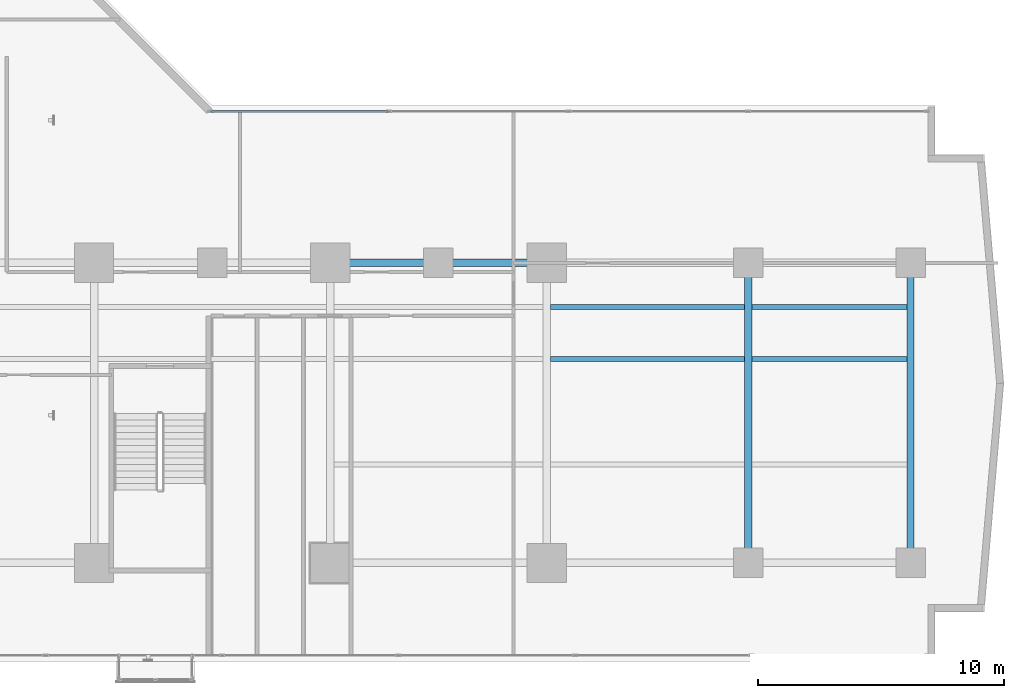
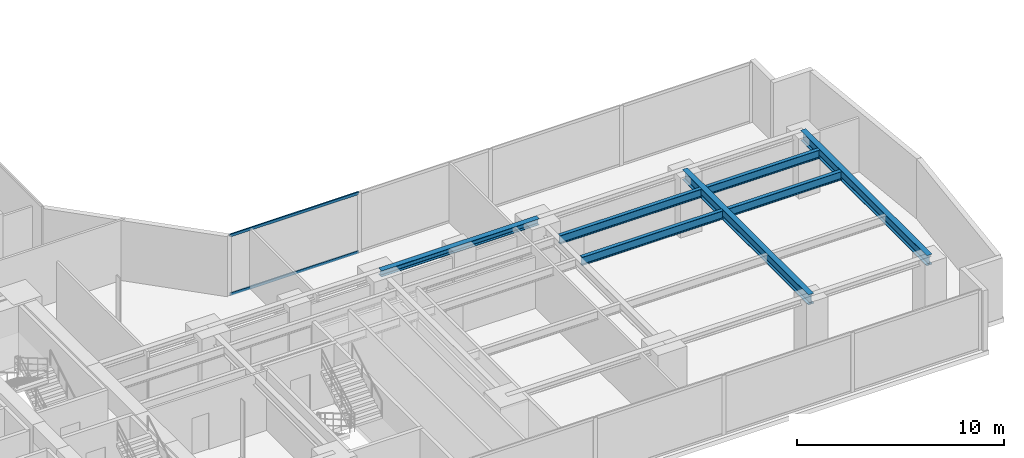
# One storey, part 12 of 27: 7 beams, 2 members, 1 element without a shape of its own.
"""IFC4 building model written with IfcOpenShell, lengths in metres."""

from ifc_helpers import new_model, si_unit, direction, frame, origin, origin_with_axes, origin_2d, place, context, subcontext, project, spatial, hollow_rectangle, i_section, extrude, source, transform, mapped, material, layer, layer_set, material_profile, profile_set, type_object, element, aggregate, save


model = new_model("IFC4")

# Units and contexts
model_context = context("Model", 3, precision=1e-05, world=origin(), true_north=direction((0.0, 1.0)))
body_context = subcontext(model_context, "Body", "Model", "MODEL_VIEW")
ifc_project = project(units=[si_unit("LENGTHUNIT", "METRE"), si_unit("AREAUNIT", "SQUARE_METRE"), si_unit("VOLUMEUNIT", "CUBIC_METRE"), si_unit("PLANEANGLEUNIT", "RADIAN"), si_unit("MASSUNIT", "GRAM", prefix="KILO")], contexts=[model_context])

# Site, building, storey
site_placement = place(None, origin())
site = spatial("IfcSite", under=ifc_project, at=site_placement, CompositionType="ELEMENT")
building_placement = place(site_placement, origin())
building = spatial("IfcBuilding", under=site, at=building_placement, Name="Kolvaren Waterfront Exchange", CompositionType="ELEMENT")
storey_placement = place(building_placement, frame((0.0, 0.0, 33.39990234375)))
storey = spatial("IfcBuildingStorey", under=building, at=storey_placement, Name="L08", CompositionType="ELEMENT", Elevation=33.39990234375)

# Beams
ifc_material_1 = material(Name="Steel S355", Category="steel")
ifc_material_profile_1 = material_profile(ifc_material_1, i_section(OverallWidth=0.300048828125, OverallDepth=0.360107421875, WebThickness=0.012451171875, FlangeThickness=0.0224609375, FilletRadius=0.027099609375, at=origin_2d()), Name="HEB360")
ifc_profile_set_1 = profile_set([ifc_material_profile_1], Name="Steel S355")
beam_type_1 = type_object("IfcBeamType", Name="STR-BM-HEB360", PredefinedType="SPANDREL", material=ifc_profile_set_1)
beam_placement = place(storey_placement, frame((36.800048828125, 17.39990234375, 3.360107421875), z_axis=(1.0, 0.0, 0.0), x_axis=(0.0, 1.0, 0.0)))
element("IfcBeam", 1, at=beam_placement, inside=storey, type_object=beam_type_1, Name="L08 east-arm spandrel N3", PredefinedType="SPANDREL", context=body_context, shape_type="SweptSolid", body=[
    extrude(i_section(OverallWidth=0.300048828125, OverallDepth=0.360107421875, WebThickness=0.012451171875, FlangeThickness=0.0224609375, FilletRadius=0.027099609375, at=origin_2d()), origin(), (0.0, 0.0, 1.0), 8.800048828125),
])
ifc_material_profile_2 = material_profile(ifc_material_1, i_section(OverallWidth=0.300048828125, OverallDepth=0.60009765625, WebThickness=0.015380859375, FlangeThickness=0.030029296875, FilletRadius=0.027099609375, at=origin_2d()), Name="HEB600")
ifc_profile_set_2 = profile_set([ifc_material_profile_2], Name="Steel S355")
beam_type_2 = type_object("IfcBeamType", Name="STR-BM-HEB600", PredefinedType="BEAM", material=ifc_profile_set_2)
for number, where, z_axis, x_axis, name in (
    (2, (53.800048828125, 5.199951171875, 3.239990234375), (0.0, 1.0, 0.0), (-1.0, 0.0, 0.0), "L08 east-arm transverse girder X53"),
    (3, (60.39990234375, 5.199951171875, 3.239990234375), (0.0, 1.0, 0.0), (-1.0, 0.0, 0.0), "L08 east-arm transverse girder X60"),
):
    element("IfcBeam", number, at=place(storey_placement, frame(where, z_axis=z_axis, x_axis=x_axis)), inside=storey, type_object=beam_type_2, Name=name, PredefinedType="BEAM", context=body_context, shape_type="SweptSolid", body=[
        extrude(i_section(OverallWidth=0.300048828125, OverallDepth=0.60009765625, WebThickness=0.015380859375, FlangeThickness=0.030029296875, FilletRadius=0.027099609375, at=origin_2d()), origin(), (0.0, 0.0, 1.0), 12.199951171875),
    ])
ifc_material_profile_3 = material_profile(ifc_material_1, i_section(OverallWidth=0.199951171875, OverallDepth=0.5, WebThickness=0.01025390625, FlangeThickness=0.01611328125, FilletRadius=0.02099609375, at=origin_2d()), Name="IPE500")
ifc_profile_set_3 = profile_set([ifc_material_profile_3], Name="Steel S355")
beam_type_3 = type_object("IfcBeamType", Name="STR-BM-IPE500", PredefinedType="JOIST", material=ifc_profile_set_3)
for number, where, z_axis, x_axis, name in (
    (4, (45.751953125, 13.5, 3.2900390625), (1.0, 0.0, 0.0), (0.0, 1.0, 0.0), "L08 east-arm composite joist 4A"),
    (5, (45.751953125, 15.60009765625, 3.2900390625), (1.0, 0.0, 0.0), (0.0, 1.0, 0.0), "L08 east-arm composite joist 4C"),
):
    element("IfcBeam", number, at=place(storey_placement, frame(where, z_axis=z_axis, x_axis=x_axis)), inside=storey, type_object=beam_type_3, Name=name, PredefinedType="JOIST", context=body_context, shape_type="SweptSolid", body=[
        extrude(i_section(OverallWidth=0.199951171875, OverallDepth=0.5, WebThickness=0.01025390625, FlangeThickness=0.01611328125, FilletRadius=0.02099609375, at=origin_2d()), origin(), (0.0, 0.0, 1.0), 7.89599609375),
    ])
for number, where, z_axis, x_axis, name in (
    (6, (53.951904296875, 13.5, 3.2900390625), (1.0, 0.0, 0.0), (0.0, 1.0, 0.0), "L08 east-arm composite joist 5A"),
    (7, (53.951904296875, 15.60009765625, 3.2900390625), (1.0, 0.0, 0.0), (0.0, 1.0, 0.0), "L08 east-arm composite joist 5C"),
):
    element("IfcBeam", number, at=place(storey_placement, frame(where, z_axis=z_axis, x_axis=x_axis)), inside=storey, type_object=beam_type_3, Name=name, PredefinedType="JOIST", context=body_context, shape_type="SweptSolid", body=[
        extrude(i_section(OverallWidth=0.199951171875, OverallDepth=0.5, WebThickness=0.01025390625, FlangeThickness=0.01611328125, FilletRadius=0.02099609375, at=origin_2d()), origin(), (0.0, 0.0, 1.0), 6.296142578125),
    ])

# Curtain wall, members
ifc_material_2 = material(Name="Anodised bronze aluminium 6063-T6", Category="aluminium")
ifc_layer = layer(ifc_material_2, 0.219970703125, Name="Anodised bronze aluminium 6063-T6")
ifc_layer_set = layer_set([ifc_layer], Name="Anodised bronze aluminium 6063-T6")
curtain_wall_type = type_object("IfcCurtainWallType", Name="ARC-CW-SYS1", PredefinedType="USERDEFINED", material=ifc_layer_set)
curtain_wall_placement = place(storey_placement, origin())
curtain_wall = element("IfcCurtainWall", 8, at=curtain_wall_placement, inside=storey, type_object=curtain_wall_type, Name="L08 stick curtain wall CW1 (CW-L08-EN)", ObjectType="STICK CURTAIN WALL", PredefinedType="USERDEFINED")
ifc_material_3 = material(Name="Anodised aluminium 6063-T6", Category="aluminium")
ifc_material_profile_4 = material_profile(ifc_material_3, hollow_rectangle(XDim=0.074951171875, YDim=0.159912109375, WallThickness=0.00439453125, at=origin_2d()), Name="ALU-TRN-160x75x4.5")
ifc_profile_set_4 = profile_set([ifc_material_profile_4], Name="Anodised aluminium 6063-T6")
member_type = type_object("IfcMemberType", Name="ARC-CWT-160", PredefinedType="USERDEFINED", material=ifc_profile_set_4)
shared_shape = source(origin_with_axes(), body_context, "Body", "SweptSolid", [
    extrude(hollow_rectangle(XDim=0.074951171875, YDim=0.159912109375, WallThickness=0.00439453125, at=origin_2d()), origin(), (0.0, 0.0, 1.0), 7.1826171875),
])
member_1_placement = place(storey_placement, frame((31.969970703125, 23.56005859375, 0.03759765625), z_axis=(1.0, 0.0, 0.0), x_axis=(0.0, 1.0, 0.0)))
member_1 = element("IfcMember", 9, at=member_1_placement, type_object=member_type, Name="CW1 transom 1.1", ObjectType="TRANSOM", PredefinedType="USERDEFINED", context=body_context, shape_type="MappedRepresentation", body=[
    mapped(shared_shape, transform((0.0, 0.0, 0.0), x_axis=(1.0, 0.0, 0.0), y_axis=(0.0, 1.0, 0.0), z_axis=(0.0, 0.0, 1.0), scale=1.0)),
])
member_2_placement = place(storey_placement, frame((31.969970703125, 23.56005859375, 3.502685546875), z_axis=(1.0, 0.0, 0.0), x_axis=(0.0, 1.0, 0.0)))
member_2 = element("IfcMember", 10, at=member_2_placement, type_object=member_type, Name="CW1 transom 1.2", ObjectType="TRANSOM", PredefinedType="USERDEFINED", context=body_context, shape_type="MappedRepresentation", body=[
    mapped(shared_shape, transform((0.0, 0.0, 0.0), x_axis=(1.0, 0.0, 0.0), y_axis=(0.0, 1.0, 0.0), z_axis=(0.0, 0.0, 1.0), scale=1.0)),
])
aggregate(curtain_wall, [member_1, member_2])

save(model, "model.ifc")
